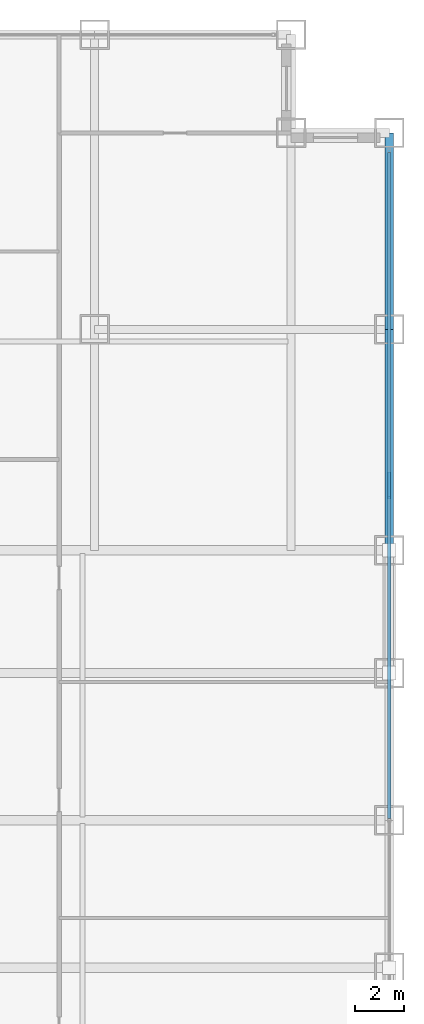
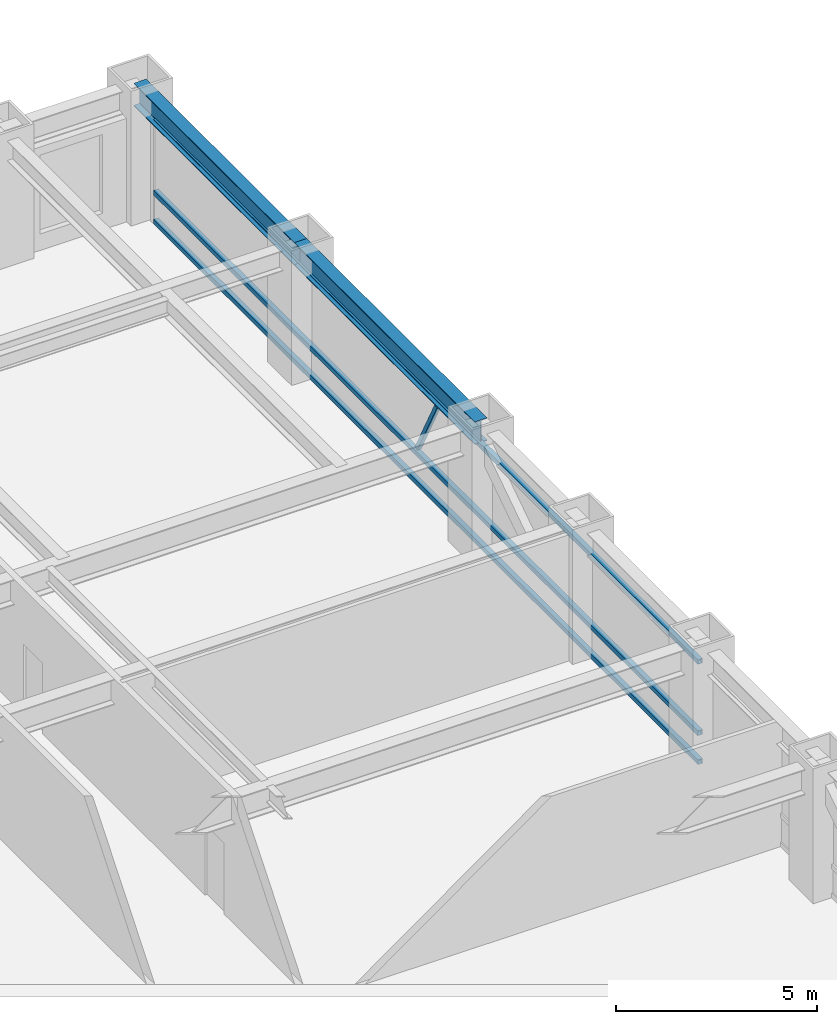
# One storey, part 15 of 27: 4 members, 2 beams, 1 element without a shape of its own.
"""IFC4 building model written with IfcOpenShell, lengths in metres."""

from ifc_helpers import new_model, si_unit, direction, frame, origin, origin_2d, place, context, subcontext, project, spatial, hollow_rectangle, i_section, extrude, source, transform, mapped, material, material_profile, profile_set, type_object, element, aggregate, save


model = new_model("IFC4")

# Units and contexts
model_context = context("Model", 3, precision=1e-05, world=origin(), true_north=direction((0.0, 1.0)))
body_context = subcontext(model_context, "Body", "Model", "MODEL_VIEW")
ifc_project = project(units=[si_unit("LENGTHUNIT", "METRE"), si_unit("AREAUNIT", "SQUARE_METRE"), si_unit("VOLUMEUNIT", "CUBIC_METRE"), si_unit("PLANEANGLEUNIT", "RADIAN"), si_unit("MASSUNIT", "GRAM", prefix="KILO")], contexts=[model_context])

# Site, building, storey
site_placement = place(None, origin())
site = spatial("IfcSite", under=ifc_project, at=site_placement, CompositionType="ELEMENT")
building_placement = place(site_placement, origin())
building = spatial("IfcBuilding", under=site, at=building_placement, Name="Khorayat Bourse Tower", CompositionType="ELEMENT")
storey_placement = place(building_placement, frame((0.0, 0.0, 107.800048828125)))
storey = spatial("IfcBuildingStorey", under=building, at=storey_placement, Name="L24", CompositionType="ELEMENT", Elevation=107.800048828125)

# Beams
ifc_material_1 = material(Name="Steel ASTM A992 Grade 50", Category="steel")
ifc_material_profile_1 = material_profile(ifc_material_1, i_section(OverallWidth=0.35498046875, OverallDepth=0.695068359375, WebThickness=0.015380859375, FlangeThickness=0.02490234375, FilletRadius=0.01806640625, at=origin_2d()), Name="W690X217")
ifc_profile_set_1 = profile_set([ifc_material_profile_1], Name="Steel ASTM A992 Grade 50")
beam_type = type_object("IfcBeamType", Name="BM-SPAN-690", PredefinedType="SPANDREL", material=ifc_profile_set_1)
shared_shape_1 = source(origin(), body_context, "Body", "SweptSolid", [
    extrude(i_section(OverallWidth=0.35498046875, OverallDepth=0.695068359375, WebThickness=0.015380859375, FlangeThickness=0.02490234375, FilletRadius=0.01806640625, at=origin_2d()), origin(), (0.0, 0.0, 1.0), 9.0),
])
beam_1_placement = place(storey_placement, frame((32.0, 11.0, 3.492431640625), z_axis=(0.0, 1.0, 0.0), x_axis=(-1.0, 0.0, 0.0)))
element("IfcBeam", 1, at=beam_1_placement, inside=storey, type_object=beam_type, Name="L24 BM-SPAN-690 BM-L24-SPN-040", PredefinedType="SPANDREL", context=body_context, shape_type="MappedRepresentation", body=[
    mapped(shared_shape_1, transform((0.0, 0.0, 0.0), scale=1.0)),
])
shared_shape_2 = source(origin(), body_context, "Body", "SweptSolid", [
    extrude(i_section(OverallWidth=0.35498046875, OverallDepth=0.695068359375, WebThickness=0.015380859375, FlangeThickness=0.02490234375, FilletRadius=0.01806640625, at=origin_2d()), origin(), (0.0, 0.0, 1.0), 8.0),
])
beam_2_placement = place(storey_placement, frame((32.0, 20.0, 3.492431640625), z_axis=(0.0, 1.0, 0.0), x_axis=(-1.0, 0.0, 0.0)))
element("IfcBeam", 2, at=beam_2_placement, inside=storey, type_object=beam_type, Name="L24 BM-SPAN-690 BM-L24-SPN-041", PredefinedType="SPANDREL", context=body_context, shape_type="MappedRepresentation", body=[
    mapped(shared_shape_2, transform((0.0, 0.0, 0.0), scale=1.0)),
])

# Curtain wall, members
ifc_material_2 = material(Name="Aluminium EN AW-6063 T6", Category="aluminium")
curtain_wall_type = type_object("IfcCurtainWallType", Name="CW-SYS-02", PredefinedType="NOTDEFINED", material=ifc_material_2)
curtain_wall_placement = place(storey_placement, origin())
curtain_wall = element("IfcCurtainWall", 3, at=curtain_wall_placement, inside=storey, type_object=curtain_wall_type, Name="L24 Curtain Wall CW-L24-E1", PredefinedType="NOTDEFINED")
ifc_material_profile_2 = material_profile(ifc_material_2, hollow_rectangle(XDim=0.139892578125, YDim=0.139892578125, WallThickness=0.006103515625, at=origin_2d()), Name="ALU 140x140x6")
ifc_profile_set_2 = profile_set([ifc_material_profile_2], Name="Aluminium EN AW-6063 T6")
member_type_1 = type_object("IfcMemberType", Name="CWT-HORZ-140", PredefinedType="USERDEFINED", material=ifc_profile_set_2)
shared_shape_3 = source(origin(), body_context, "Body", "SweptSolid", [
    extrude(hollow_rectangle(XDim=0.139892578125, YDim=0.139892578125, WallThickness=0.006103515625, at=origin_2d()), origin(), (0.0, 0.0, 1.0), 27.139892578125),
])
member_1_placement = place(storey_placement, frame((32.0, 0.070068359375, 0.070068359375), z_axis=(0.0, 1.0, 0.0), x_axis=(-1.0, 0.0, 0.0)))
member_1 = element("IfcMember", 4, at=member_1_placement, type_object=member_type_1, Name="CW-L24-E1 Horizontal Transom 2-1", ObjectType="TRANSOM", PredefinedType="USERDEFINED", context=body_context, shape_type="MappedRepresentation", body=[
    mapped(shared_shape_3, transform((0.0, 0.0, 0.0), scale=1.0)),
])
member_2_placement = place(storey_placement, frame((32.0, 0.070068359375, 0.949951171875), z_axis=(0.0, 1.0, 0.0), x_axis=(-1.0, 0.0, 0.0)))
member_2 = element("IfcMember", 5, at=member_2_placement, type_object=member_type_1, Name="CW-L24-E1 Horizontal Transom 2-2", ObjectType="TRANSOM", PredefinedType="USERDEFINED", context=body_context, shape_type="MappedRepresentation", body=[
    mapped(shared_shape_3, transform((0.0, 0.0, 0.0), scale=1.0)),
])
member_3_placement = place(storey_placement, frame((32.0, 0.070068359375, 3.119873046875), z_axis=(0.0, 1.0, 0.0), x_axis=(-1.0, 0.0, 0.0)))
member_3 = element("IfcMember", 6, at=member_3_placement, type_object=member_type_1, Name="CW-L24-E1 Horizontal Transom 2-3", ObjectType="TRANSOM", PredefinedType="USERDEFINED", context=body_context, shape_type="MappedRepresentation", body=[
    mapped(shared_shape_3, transform((0.0, 0.0, 0.0), scale=1.0)),
])
ifc_material_profile_3 = material_profile(ifc_material_2, hollow_rectangle(XDim=0.1201171875, YDim=0.1201171875, WallThickness=0.0048828125, at=origin_2d()), Name="ALU 120x120x5")
ifc_profile_set_3 = profile_set([ifc_material_profile_3], Name="Aluminium EN AW-6063 T6")
member_type_2 = type_object("IfcMemberType", Name="CWM-DIAG-120", PredefinedType="MULLION", material=ifc_profile_set_3)
shared_shape_4 = source(origin(), body_context, "Body", "SweptSolid", [
    extrude(hollow_rectangle(XDim=0.1201171875, YDim=0.1201171875, WallThickness=0.0048828125, at=origin_2d()), origin(), (0.0, 0.0, 1.0), 2.11328125),
])
member_4_placement = place(storey_placement, frame((32.0, 14.132080078125, 1.099853515625), z_axis=(0.0, -0.465694055905, 0.884945787207), x_axis=(1.0, 0.0, 0.0)))
member_4 = element("IfcMember", 7, at=member_4_placement, type_object=member_type_2, Name="CW-L24-E1 Faceted Diagonal Mullion 2", PredefinedType="MULLION", context=body_context, shape_type="MappedRepresentation", body=[
    mapped(shared_shape_4, transform((0.0, 0.0, 0.0), scale=1.0)),
])
aggregate(curtain_wall, [member_1, member_2, member_3, member_4])

save(model, "model.ifc")
